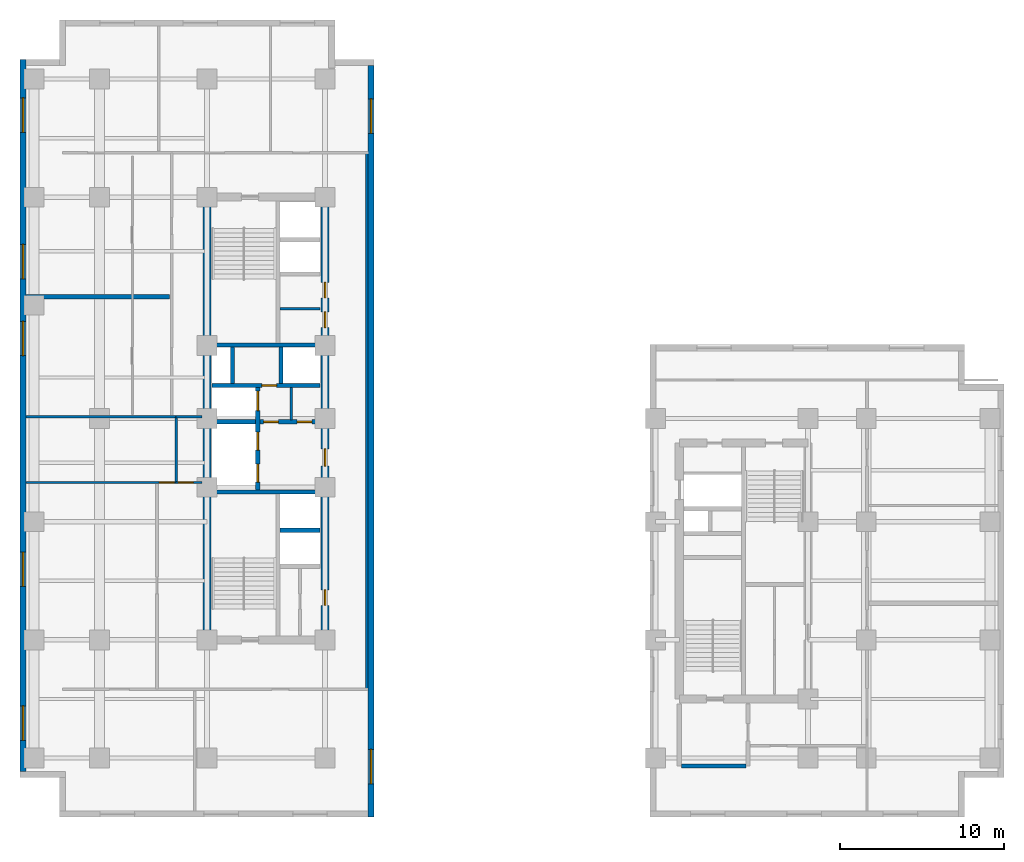
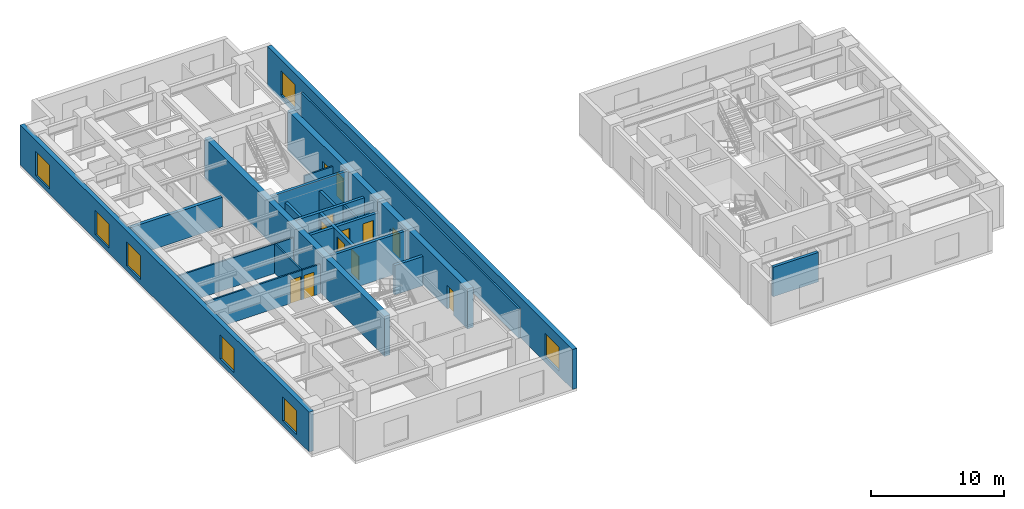
# One storey, part 3 of 9: 23 walls, 12 doors, 7 windows, 19 openings.
"""IFC4 building model written with IfcOpenShell, lengths in metres."""

from ifc_helpers import new_model, entity, si_unit, converted_unit, direction, frame, origin_with_axes, origin_2d_with_axis, place, context, subcontext, project, spatial, polyline, rectangle, outline, extrude, material, layer, layer_set, type_object, element, fill, save


model = new_model("IFC4")

# Units and contexts
model_context = context("Model", 3, precision=1e-05, world=origin_with_axes(), true_north=direction((0.0, 1.0)))
body_context = subcontext(model_context, "Body", "Model", "MODEL_VIEW")
ifc_project = project(units=[si_unit("LENGTHUNIT", "METRE"), si_unit("AREAUNIT", "SQUARE_METRE"), si_unit("VOLUMEUNIT", "CUBIC_METRE"), converted_unit("PLANEANGLEUNIT", "DEGREE", entity("IfcPlaneAngleMeasure", 0.017453292519943295), si_unit("PLANEANGLEUNIT", "RADIAN"), dimensions=[0, 0, 0, 0, 0, 0, 0]), si_unit("MASSUNIT", "GRAM", prefix="KILO"), si_unit("THERMODYNAMICTEMPERATUREUNIT", "KELVIN")], contexts=[model_context])

# Site, building, storey
site_placement = place(None, origin_with_axes())
site = spatial("IfcSite", under=ifc_project, at=site_placement, CompositionType="ELEMENT")
building_placement = place(site_placement, origin_with_axes())
building = spatial("IfcBuilding", under=site, at=building_placement, Name="Varnlund Millrace Tower", CompositionType="ELEMENT")
storey_placement = place(building_placement, frame((0.0, 0.0, 112.5), z_axis=(0.0, 0.0, 1.0), x_axis=(1.0, 0.0, 0.0)))
storey = spatial("IfcBuildingStorey", under=building, at=storey_placement, Name="L27", CompositionType="ELEMENT", Elevation=112.5)

# Wall
ifc_material_1 = material(Name="Concrete C70/85", Category="concrete")
ifc_layer_1 = layer(ifc_material_1, 0.5, Name="Concrete C70/85")
ifc_layer_set_1 = layer_set([ifc_layer_1], Name="Concrete C70/85")
wall_type_1 = type_object("IfcWallType", Name="Type-CoreWall-Shear-500-C70", PredefinedType="SHEAR", material=ifc_layer_set_1)
wall_1_placement = place(storey_placement, frame((11.4, 10.8, 0.0), z_axis=(0.0, 0.0, 1.0), x_axis=(0.0, 1.0, 0.0)))
element("IfcWall", 1, at=wall_1_placement, inside=storey, type_object=wall_type_1, Name="Type-CoreWall-Shear-500-C70", PredefinedType="SHEAR", context=body_context, shape_type="SweptSolid", body=[
    extrude(outline(polyline([(0.0, -0.25), (27.0, -0.25), (27.0, 0.25), (0.0, 0.25), (0.0, -0.25)])), origin_with_axes(), (0.0, 0.0, 1.0), 3.66),
])

# Wall, openings, doors
wall_2_placement = place(storey_placement, frame((18.6, 10.8, 0.0), z_axis=(0.0, 0.0, 1.0), x_axis=(0.0, 1.0, 0.0)))
wall_2 = element("IfcWall", 2, at=wall_2_placement, inside=storey, type_object=wall_type_1, Name="Type-CoreWall-Shear-500-C70", PredefinedType="SHEAR", context=body_context, shape_type="SweptSolid", body=[
    extrude(outline(polyline([(0.0, -0.25), (13.5, -0.25), (13.5, 0.25), (0.0, 0.25), (0.0, -0.25)])), origin_with_axes(), (0.0, 0.0, 1.0), 3.66),
])
opening_1_placement = place(wall_2_placement, frame((11.125, 0.0, 0.0), z_axis=(0.0, 0.0, 1.0), x_axis=(1.0, 0.0, 0.0)))
opening_1 = element("IfcOpeningElement", 3, at=opening_1_placement, cuts=wall_2, Name="Opening L27:DR-FFLOB-A", PredefinedType="OPENING", context=body_context, shape_type="SweptSolid", body=[
    extrude(rectangle(XDim=1.05, YDim=0.52, at=origin_2d_with_axis()), origin_with_axes(), (0.0, 0.0, 1.0), 2.15),
])
opening_2_placement = place(wall_2_placement, frame((2.575, 0.0, 0.0), z_axis=(0.0, 0.0, 1.0), x_axis=(1.0, 0.0, 0.0)))
opening_2 = element("IfcOpeningElement", 4, at=opening_2_placement, cuts=wall_2, Name="Opening L27:DR-RECL-L2", PredefinedType="OPENING", context=body_context, shape_type="SweptSolid", body=[
    extrude(rectangle(XDim=0.95, YDim=0.52, at=origin_2d_with_axis()), origin_with_axes(), (0.0, 0.0, 1.0), 2.15),
])
ifc_material_2 = material(Name="Smoke-barrier hollow steel fire door", Category="steel")
door_type_1 = type_object("IfcDoorType", Name="Type-FireDoor-Lobby-1050X2150", OperationType="NOTDEFINED", PredefinedType="DOOR", material=ifc_material_2)
door_1_placement = place(wall_2_placement, frame((11.125, 0.0, 0.0), z_axis=(0.0, 0.0, 1.0), x_axis=(1.0, 0.0, 0.0)))
door_1 = element("IfcDoor", 5, at=door_1_placement, inside=storey, type_object=door_type_1, Name="Type-FireDoor-Lobby-1050X2150", OperationType="SINGLE_SWING_LEFT", OverallHeight=2.15, OverallWidth=1.05, PredefinedType="DOOR", context=body_context, shape_type="SweptSolid", body=[
    extrude(rectangle(XDim=1.05, YDim=0.09, at=origin_2d_with_axis()), origin_with_axes(), (0.0, 0.0, 1.0), 2.15),
])
fill(opening_1, door_1)
ifc_material_3 = material(Name="Fire-rated hollow steel core service door", Category="steel")
door_type_2 = type_object("IfcDoorType", Name="Type-FireDoor-Service-950X2150", OperationType="NOTDEFINED", PredefinedType="DOOR", material=ifc_material_3)
door_2_placement = place(wall_2_placement, frame((2.575, 0.0, 0.0), z_axis=(0.0, 0.0, 1.0), x_axis=(1.0, 0.0, 0.0)))
door_2 = element("IfcDoor", 6, at=door_2_placement, inside=storey, type_object=door_type_2, Name="Type-FireDoor-Service-950X2150", OperationType="SINGLE_SWING_RIGHT", OverallHeight=2.15, OverallWidth=0.95, PredefinedType="DOOR", context=body_context, shape_type="SweptSolid", body=[
    extrude(rectangle(XDim=0.95, YDim=0.09, at=origin_2d_with_axis()), origin_with_axes(), (0.0, 0.0, 1.0), 2.15),
])
fill(opening_2, door_2)

wall_3_placement = place(storey_placement, frame((18.6, 24.3, 0.0), z_axis=(0.0, 0.0, 1.0), x_axis=(0.0, 1.0, 0.0)))
wall_3 = element("IfcWall", 7, at=wall_3_placement, inside=storey, type_object=wall_type_1, Name="Type-CoreWall-Shear-500-C70", PredefinedType="SHEAR", context=body_context, shape_type="SweptSolid", body=[
    extrude(outline(polyline([(0.0, -0.25), (13.5, -0.25), (13.5, 0.25), (0.0, 0.25), (0.0, -0.25)])), origin_with_axes(), (0.0, 0.0, 1.0), 3.66),
])
opening_3_placement = place(wall_3_placement, frame((6.025, 0.0, 0.0), z_axis=(0.0, 0.0, 1.0), x_axis=(1.0, 0.0, 0.0)))
opening_3 = element("IfcOpeningElement", 8, at=opening_3_placement, cuts=wall_3, Name="Opening L27:DR-CA-WC1", PredefinedType="OPENING", context=body_context, shape_type="SweptSolid", body=[
    extrude(rectangle(XDim=0.95, YDim=0.52, at=origin_2d_with_axis()), origin_with_axes(), (0.0, 0.0, 1.0), 2.15),
])
opening_4_placement = place(wall_3_placement, frame((7.825, 0.0, 0.0), z_axis=(0.0, 0.0, 1.0), x_axis=(1.0, 0.0, 0.0)))
opening_4 = element("IfcOpeningElement", 9, at=opening_4_placement, cuts=wall_3, Name="Opening L27:DR-CA-WC2", PredefinedType="OPENING", context=body_context, shape_type="SweptSolid", body=[
    extrude(rectangle(XDim=0.95, YDim=0.52, at=origin_2d_with_axis()), origin_with_axes(), (0.0, 0.0, 1.0), 2.15),
])
door_3_placement = place(wall_3_placement, frame((6.025, 0.0, 0.0), z_axis=(0.0, 0.0, 1.0), x_axis=(1.0, 0.0, 0.0)))
door_3 = element("IfcDoor", 10, at=door_3_placement, inside=storey, type_object=door_type_2, Name="Type-FireDoor-Service-950X2150", OperationType="SINGLE_SWING_RIGHT", OverallHeight=2.15, OverallWidth=0.95, PredefinedType="DOOR", context=body_context, shape_type="SweptSolid", body=[
    extrude(rectangle(XDim=0.95, YDim=0.09, at=origin_2d_with_axis()), origin_with_axes(), (0.0, 0.0, 1.0), 2.15),
])
fill(opening_3, door_3)
door_4_placement = place(wall_3_placement, frame((7.825, 0.0, 0.0), z_axis=(0.0, 0.0, 1.0), x_axis=(1.0, 0.0, 0.0)))
door_4 = element("IfcDoor", 11, at=door_4_placement, inside=storey, type_object=door_type_2, Name="Type-FireDoor-Service-950X2150", OperationType="SINGLE_SWING_RIGHT", OverallHeight=2.15, OverallWidth=0.95, PredefinedType="DOOR", context=body_context, shape_type="SweptSolid", body=[
    extrude(rectangle(XDim=0.95, YDim=0.09, at=origin_2d_with_axis()), origin_with_axes(), (0.0, 0.0, 1.0), 2.15),
])
fill(opening_4, door_4)

# Wall, openings, windows
ifc_material_4 = material(Name="Precast concrete C50/60", Category="concrete")
ifc_layer_2 = layer(ifc_material_4, 0.38, Name="Precast concrete C50/60")
ifc_layer_set_2 = layer_set([ifc_layer_2], Name="Precast concrete C50/60")
wall_type_2 = type_object("IfcWallType", Name="Type-ExtWall-Precast-Tube-380", PredefinedType="SOLIDWALL", material=ifc_layer_set_2)
wall_4_placement = place(storey_placement, frame((0.19, 2.78, 0.0), z_axis=(0.0, 0.0, 1.0), x_axis=(0.0, 1.0, 0.0)))
wall_4 = element("IfcWall", 12, at=wall_4_placement, inside=storey, type_object=wall_type_2, Name="Type-ExtWall-Precast-Tube-380", PredefinedType="SOLIDWALL", context=body_context, shape_type="SweptSolid", body=[
    extrude(outline(polyline([(0.0, -0.19), (43.42, -0.19), (43.42, 0.19), (0.0, 0.19), (0.0, -0.19)])), origin_with_axes(), (0.0, 0.0, 1.0), 3.66),
])
opening_5_placement = place(wall_4_placement, frame((2.946, 0.0, 0.45), z_axis=(0.0, 0.0, 1.0), x_axis=(1.0, 0.0, 0.0)))
opening_5 = element("IfcOpeningElement", 13, at=opening_5_placement, cuts=wall_4, Name="Opening L27:WN-01", PredefinedType="OPENING", context=body_context, shape_type="SweptSolid", body=[
    extrude(rectangle(XDim=2.1, YDim=0.4, at=origin_2d_with_axis()), origin_with_axes(), (0.0, 0.0, 1.0), 2.2),
])
opening_6_placement = place(wall_4_placement, frame((12.328, 0.0, 0.45), z_axis=(0.0, 0.0, 1.0), x_axis=(1.0, 0.0, 0.0)))
opening_6 = element("IfcOpeningElement", 14, at=opening_6_placement, cuts=wall_4, Name="Opening L27:WN-02", PredefinedType="OPENING", context=body_context, shape_type="SweptSolid", body=[
    extrude(rectangle(XDim=2.1, YDim=0.4, at=origin_2d_with_axis()), origin_with_axes(), (0.0, 0.0, 1.0), 2.2),
])
opening_7_placement = place(wall_4_placement, frame((26.401, 0.0, 0.45), z_axis=(0.0, 0.0, 1.0), x_axis=(1.0, 0.0, 0.0)))
opening_7 = element("IfcOpeningElement", 15, at=opening_7_placement, cuts=wall_4, Name="Opening L27:WN-03", PredefinedType="OPENING", context=body_context, shape_type="SweptSolid", body=[
    extrude(rectangle(XDim=2.1, YDim=0.4, at=origin_2d_with_axis()), origin_with_axes(), (0.0, 0.0, 1.0), 2.2),
])
opening_8_placement = place(wall_4_placement, frame((31.092, 0.0, 0.45), z_axis=(0.0, 0.0, 1.0), x_axis=(1.0, 0.0, 0.0)))
opening_8 = element("IfcOpeningElement", 16, at=opening_8_placement, cuts=wall_4, Name="Opening L27:WN-04", PredefinedType="OPENING", context=body_context, shape_type="SweptSolid", body=[
    extrude(rectangle(XDim=2.1, YDim=0.4, at=origin_2d_with_axis()), origin_with_axes(), (0.0, 0.0, 1.0), 2.2),
])
opening_9_placement = place(wall_4_placement, frame((40.024, 0.0, 0.45), z_axis=(0.0, 0.0, 1.0), x_axis=(1.0, 0.0, 0.0)))
opening_9 = element("IfcOpeningElement", 17, at=opening_9_placement, cuts=wall_4, Name="Opening L27:WN-05", PredefinedType="OPENING", context=body_context, shape_type="SweptSolid", body=[
    extrude(rectangle(XDim=2.1, YDim=0.4, at=origin_2d_with_axis()), origin_with_axes(), (0.0, 0.0, 1.0), 2.2),
])
ifc_material_5 = material(Name="Argon low-e triple glazing in thermally broken bronze frame", Category="glass")
window_type = type_object("IfcWindowType", Name="Type-Window-Punched-2100X2200", PartitioningType="SINGLE_PANEL", PredefinedType="WINDOW", material=ifc_material_5)
window_1_placement = place(wall_4_placement, frame((2.946, 0.0, 0.45), z_axis=(0.0, 0.0, 1.0), x_axis=(1.0, 0.0, 0.0)))
window_1 = element("IfcWindow", 18, at=window_1_placement, inside=storey, type_object=window_type, Name="Type-Window-Punched-2100X2200", OverallHeight=2.2, OverallWidth=2.1, PredefinedType="WINDOW", context=body_context, shape_type="SweptSolid", body=[
    extrude(rectangle(XDim=2.1, YDim=0.09, at=origin_2d_with_axis()), origin_with_axes(), (0.0, 0.0, 1.0), 2.2),
])
fill(opening_5, window_1)
window_2_placement = place(wall_4_placement, frame((12.328, 0.0, 0.45), z_axis=(0.0, 0.0, 1.0), x_axis=(1.0, 0.0, 0.0)))
window_2 = element("IfcWindow", 19, at=window_2_placement, inside=storey, type_object=window_type, Name="Type-Window-Punched-2100X2200", OverallHeight=2.2, OverallWidth=2.1, PredefinedType="WINDOW", context=body_context, shape_type="SweptSolid", body=[
    extrude(rectangle(XDim=2.1, YDim=0.09, at=origin_2d_with_axis()), origin_with_axes(), (0.0, 0.0, 1.0), 2.2),
])
fill(opening_6, window_2)
window_3_placement = place(wall_4_placement, frame((26.401, 0.0, 0.45), z_axis=(0.0, 0.0, 1.0), x_axis=(1.0, 0.0, 0.0)))
window_3 = element("IfcWindow", 20, at=window_3_placement, inside=storey, type_object=window_type, Name="Type-Window-Punched-2100X2200", OverallHeight=2.2, OverallWidth=2.1, PredefinedType="WINDOW", context=body_context, shape_type="SweptSolid", body=[
    extrude(rectangle(XDim=2.1, YDim=0.09, at=origin_2d_with_axis()), origin_with_axes(), (0.0, 0.0, 1.0), 2.2),
])
fill(opening_7, window_3)
window_4_placement = place(wall_4_placement, frame((31.092, 0.0, 0.45), z_axis=(0.0, 0.0, 1.0), x_axis=(1.0, 0.0, 0.0)))
window_4 = element("IfcWindow", 21, at=window_4_placement, inside=storey, type_object=window_type, Name="Type-Window-Punched-2100X2200", OverallHeight=2.2, OverallWidth=2.1, PredefinedType="WINDOW", context=body_context, shape_type="SweptSolid", body=[
    extrude(rectangle(XDim=2.1, YDim=0.09, at=origin_2d_with_axis()), origin_with_axes(), (0.0, 0.0, 1.0), 2.2),
])
fill(opening_8, window_4)
window_5_placement = place(wall_4_placement, frame((40.024, 0.0, 0.45), z_axis=(0.0, 0.0, 1.0), x_axis=(1.0, 0.0, 0.0)))
window_5 = element("IfcWindow", 22, at=window_5_placement, inside=storey, type_object=window_type, Name="Type-Window-Punched-2100X2200", OverallHeight=2.2, OverallWidth=2.1, PredefinedType="WINDOW", context=body_context, shape_type="SweptSolid", body=[
    extrude(rectangle(XDim=2.1, YDim=0.09, at=origin_2d_with_axis()), origin_with_axes(), (0.0, 0.0, 1.0), 2.2),
])
fill(opening_9, window_5)

wall_5_placement = place(storey_placement, frame((21.41, 45.82, 0.0), z_axis=(0.0, 0.0, 1.0), x_axis=(0.0, -1.0, 0.0)))
wall_5 = element("IfcWall", 23, at=wall_5_placement, inside=storey, type_object=wall_type_2, Name="Type-ExtWall-Precast-Tube-380", PredefinedType="SOLIDWALL", context=body_context, shape_type="SweptSolid", body=[
    extrude(outline(polyline([(0.0, -0.19), (45.82, -0.19), (45.82, 0.19), (0.0, 0.19), (0.0, -0.19)])), origin_with_axes(), (0.0, 0.0, 1.0), 3.66),
])
opening_10_placement = place(wall_5_placement, frame((3.079, 0.0, 0.45), z_axis=(0.0, 0.0, 1.0), x_axis=(1.0, 0.0, 0.0)))
opening_10 = element("IfcOpeningElement", 24, at=opening_10_placement, cuts=wall_5, Name="Opening L27:WN-09", PredefinedType="OPENING", context=body_context, shape_type="SweptSolid", body=[
    extrude(rectangle(XDim=2.1, YDim=0.4, at=origin_2d_with_axis()), origin_with_axes(), (0.0, 0.0, 1.0), 2.2),
])
opening_11_placement = place(wall_5_placement, frame((42.741, 0.0, 0.45), z_axis=(0.0, 0.0, 1.0), x_axis=(1.0, 0.0, 0.0)))
opening_11 = element("IfcOpeningElement", 25, at=opening_11_placement, cuts=wall_5, Name="Opening L27:WN-10", PredefinedType="OPENING", context=body_context, shape_type="SweptSolid", body=[
    extrude(rectangle(XDim=2.1, YDim=0.4, at=origin_2d_with_axis()), origin_with_axes(), (0.0, 0.0, 1.0), 2.2),
])
window_6_placement = place(wall_5_placement, frame((3.079, 0.0, 0.45), z_axis=(0.0, 0.0, 1.0), x_axis=(1.0, 0.0, 0.0)))
window_6 = element("IfcWindow", 26, at=window_6_placement, inside=storey, type_object=window_type, Name="Type-Window-Punched-2100X2200", OverallHeight=2.2, OverallWidth=2.1, PredefinedType="WINDOW", context=body_context, shape_type="SweptSolid", body=[
    extrude(rectangle(XDim=2.1, YDim=0.09, at=origin_2d_with_axis()), origin_with_axes(), (0.0, 0.0, 1.0), 2.2),
])
fill(opening_10, window_6)
window_7_placement = place(wall_5_placement, frame((42.741, 0.0, 0.45), z_axis=(0.0, 0.0, 1.0), x_axis=(1.0, 0.0, 0.0)))
window_7 = element("IfcWindow", 27, at=window_7_placement, inside=storey, type_object=window_type, Name="Type-Window-Punched-2100X2200", OverallHeight=2.2, OverallWidth=2.1, PredefinedType="WINDOW", context=body_context, shape_type="SweptSolid", body=[
    extrude(rectangle(XDim=2.1, YDim=0.09, at=origin_2d_with_axis()), origin_with_axes(), (0.0, 0.0, 1.0), 2.2),
])
fill(opening_11, window_7)

# Walls
ifc_material_6 = material(Name="Double-stud STC-60 conference acoustic partition", Category="gypsum")
ifc_layer_3 = layer(ifc_material_6, 0.28, Name="Double-stud STC-60 conference acoustic partition")
ifc_layer_set_3 = layer_set([ifc_layer_3], Name="Double-stud STC-60 conference acoustic partition")
wall_type_3 = type_object("IfcWallType", Name="Type-Partition-Acoustic-280", PredefinedType="PARTITIONING", material=ifc_layer_set_3)
wall_6_placement = place(storey_placement, frame((0.375, 31.729, 0.0), z_axis=(0.0, 0.0, 1.0), x_axis=(1.0, 0.0, 0.0)))
element("IfcWall", 28, at=wall_6_placement, inside=storey, type_object=wall_type_3, Name="Type-Partition-Acoustic-280", PredefinedType="PARTITIONING", context=body_context, shape_type="SweptSolid", body=[
    extrude(outline(polyline([(0.0, -0.14), (8.755, -0.14), (8.755, 0.14), (0.0, 0.14), (0.0, -0.14)])), origin_with_axes(), (0.0, 0.0, 1.0), 2.7),
])
ifc_material_7 = material(Name="Fire-rated gypsum board on cold-formed steel framing", Category="steel")
ifc_layer_4 = layer(ifc_material_7, 0.16, Name="Fire-rated gypsum board on cold-formed steel framing")
ifc_layer_set_4 = layer_set([ifc_layer_4], Name="Fire-rated gypsum board on cold-formed steel framing")
wall_type_4 = type_object("IfcWallType", Name="Type-Partition-Corridor-160", PredefinedType="PARTITIONING", material=ifc_layer_set_4)
wall_7_placement = place(storey_placement, frame((16.55, 24.22, 0.0), z_axis=(0.0, 0.0, 1.0), x_axis=(0.0, 1.0, 0.0)))
element("IfcWall", 29, at=wall_7_placement, inside=storey, type_object=wall_type_4, Name="Type-Partition-Corridor-160", PredefinedType="PARTITIONING", context=body_context, shape_type="SweptSolid", body=[
    extrude(outline(polyline([(0.0, -0.08), (1.98, -0.08), (1.98, 0.08), (0.0, 0.08), (0.0, -0.08)])), origin_with_axes(), (0.0, 0.0, 1.0), 2.7),
])
wall_8_placement = place(storey_placement, frame((21.15, 7.8, 0.0), z_axis=(0.0, 0.0, 1.0), x_axis=(0.0, 1.0, 0.0)))
element("IfcWall", 30, at=wall_8_placement, inside=storey, type_object=wall_type_4, Name="Type-Partition-Corridor-160", PredefinedType="PARTITIONING", context=body_context, shape_type="SweptSolid", body=[
    extrude(outline(polyline([(0.0, -0.08), (32.7, -0.08), (32.7, 0.08), (0.0, 0.08), (0.0, -0.08)])), origin_with_axes(), (0.0, 0.0, 1.0), 2.7),
])
ifc_material_8 = material(Name="Moisture-resistant gypsum restroom partition", Category="gypsum")
ifc_layer_5 = layer(ifc_material_8, 0.14, Name="Moisture-resistant gypsum restroom partition")
ifc_layer_set_5 = layer_set([ifc_layer_5], Name="Moisture-resistant gypsum restroom partition")
wall_type_5 = type_object("IfcWallType", Name="Type-Partition-Wet-140", PredefinedType="PARTITIONING", material=ifc_layer_set_5)
wall_9_placement = place(storey_placement, frame((15.84, 31.0, 0.0), z_axis=(0.0, 0.0, 1.0), x_axis=(1.0, 0.0, 0.0)))
element("IfcWall", 31, at=wall_9_placement, inside=storey, type_object=wall_type_5, Name="Type-Partition-Wet-140", PredefinedType="PARTITIONING", context=body_context, shape_type="SweptSolid", body=[
    extrude(outline(polyline([(0.0, -0.07), (2.46, -0.07), (2.46, 0.07), (0.0, 0.07), (0.0, -0.07)])), origin_with_axes(), (0.0, 0.0, 1.0), 2.7),
])
wall_10_placement = place(storey_placement, frame((9.52, 20.4, 0.0), z_axis=(0.0, 0.0, 1.0), x_axis=(0.0, 1.0, 0.0)))
element("IfcWall", 32, at=wall_10_placement, inside=storey, type_object=wall_type_5, Name="Type-Partition-Wet-140", PredefinedType="PARTITIONING", context=body_context, shape_type="SweptSolid", body=[
    extrude(outline(polyline([(0.0, -0.07), (4.0, -0.07), (4.0, 0.07), (0.0, 0.07), (0.0, -0.07)])), origin_with_axes(), (0.0, 0.0, 1.0), 2.7),
])

# Wall, opening, door
wall_11_placement = place(storey_placement, frame((9.52, 20.4, 0.0), z_axis=(0.0, 0.0, 1.0), x_axis=(1.0, 0.0, 0.0)))
wall_11 = element("IfcWall", 33, at=wall_11_placement, inside=storey, type_object=wall_type_5, Name="Type-Partition-Wet-140", PredefinedType="PARTITIONING", context=body_context, shape_type="SweptSolid", body=[
    extrude(outline(polyline([(0.0, -0.07), (1.58, -0.07), (1.58, 0.07), (0.0, 0.07), (0.0, -0.07)])), origin_with_axes(), (0.0, 0.0, 1.0), 2.7),
])
opening_12_placement = place(wall_11_placement, frame((0.59, 0.0, 0.0), z_axis=(0.0, 0.0, 1.0), x_axis=(1.0, 0.0, 0.0)))
opening_12 = element("IfcOpeningElement", 34, at=opening_12_placement, cuts=wall_11, Name="Opening L27:DR-CA-WCW", PredefinedType="OPENING", context=body_context, shape_type="SweptSolid", body=[
    extrude(rectangle(XDim=0.9, YDim=0.16, at=origin_2d_with_axis()), origin_with_axes(), (0.0, 0.0, 1.0), 2.15),
])
ifc_material_9 = material(Name="Painted steel riser and closet door", Category="steel")
door_type_3 = type_object("IfcDoorType", Name="Type-IntDoor-Closet-900X2150", OperationType="NOTDEFINED", PredefinedType="DOOR", material=ifc_material_9)
door_5_placement = place(wall_11_placement, frame((0.59, 0.0, 0.0), z_axis=(0.0, 0.0, 1.0), x_axis=(1.0, 0.0, 0.0)))
door_5 = element("IfcDoor", 35, at=door_5_placement, inside=storey, type_object=door_type_3, Name="Type-IntDoor-Closet-900X2150", OperationType="SINGLE_SWING_LEFT", OverallHeight=2.15, OverallWidth=0.9, PredefinedType="DOOR", context=body_context, shape_type="SweptSolid", body=[
    extrude(rectangle(XDim=0.9, YDim=0.084, at=origin_2d_with_axis()), origin_with_axes(), (0.0, 0.0, 1.0), 2.15),
])
fill(opening_12, door_5)

# Wall
wall_12_placement = place(storey_placement, frame((9.52, 24.4, 0.0), z_axis=(0.0, 0.0, 1.0), x_axis=(1.0, 0.0, 0.0)))
element("IfcWall", 36, at=wall_12_placement, inside=storey, type_object=wall_type_5, Name="Type-Partition-Wet-140", PredefinedType="PARTITIONING", context=body_context, shape_type="SweptSolid", body=[
    extrude(outline(polyline([(0.0, -0.07), (1.58, -0.07), (1.58, 0.07), (0.0, 0.07), (0.0, -0.07)])), origin_with_axes(), (0.0, 0.0, 1.0), 2.7),
])

# Wall, opening, door
wall_13_placement = place(storey_placement, frame((0.36, 20.4, 0.0), z_axis=(0.0, 0.0, 1.0), x_axis=(1.0, 0.0, 0.0)))
wall_13 = element("IfcWall", 37, at=wall_13_placement, inside=storey, type_object=wall_type_5, Name="Type-Partition-Wet-140", PredefinedType="PARTITIONING", context=body_context, shape_type="SweptSolid", body=[
    extrude(outline(polyline([(0.0, -0.07), (9.16, -0.07), (9.16, 0.07), (0.0, 0.07), (0.0, -0.07)])), origin_with_axes(), (0.0, 0.0, 1.0), 2.7),
])
opening_13_placement = place(wall_13_placement, frame((8.59, 0.0, 0.0), z_axis=(0.0, 0.0, 1.0), x_axis=(1.0, 0.0, 0.0)))
opening_13 = element("IfcOpeningElement", 38, at=opening_13_placement, cuts=wall_13, Name="Opening L27:DR-W-MIDR", PredefinedType="OPENING", context=body_context, shape_type="SweptSolid", body=[
    extrude(rectangle(XDim=0.9, YDim=0.16, at=origin_2d_with_axis()), origin_with_axes(), (0.0, 0.0, 1.0), 2.15),
])
door_6_placement = place(wall_13_placement, frame((8.59, 0.0, 0.0), z_axis=(0.0, 0.0, 1.0), x_axis=(1.0, 0.0, 0.0)))
door_6 = element("IfcDoor", 39, at=door_6_placement, inside=storey, type_object=door_type_3, Name="Type-IntDoor-Closet-900X2150", OperationType="SINGLE_SWING_LEFT", OverallHeight=2.15, OverallWidth=0.9, PredefinedType="DOOR", context=body_context, shape_type="SweptSolid", body=[
    extrude(rectangle(XDim=0.9, YDim=0.084, at=origin_2d_with_axis()), origin_with_axes(), (0.0, 0.0, 1.0), 2.15),
])
fill(opening_13, door_6)

# Wall
wall_14_placement = place(storey_placement, frame((0.36, 24.4, 0.0), z_axis=(0.0, 0.0, 1.0), x_axis=(1.0, 0.0, 0.0)))
element("IfcWall", 40, at=wall_14_placement, inside=storey, type_object=wall_type_5, Name="Type-Partition-Wet-140", PredefinedType="PARTITIONING", context=body_context, shape_type="SweptSolid", body=[
    extrude(outline(polyline([(0.0, -0.07), (9.16, -0.07), (9.16, 0.07), (0.0, 0.07), (0.0, -0.07)])), origin_with_axes(), (0.0, 0.0, 1.0), 2.7),
])

# Wall, openings, doors
ifc_material_10 = material(Name="Concrete C60/75", Category="concrete")
ifc_layer_6 = layer(ifc_material_10, 0.25, Name="Concrete C60/75")
ifc_layer_set_6 = layer_set([ifc_layer_6], Name="Concrete C60/75")
wall_type_6 = type_object("IfcWallType", Name="Type-ShaftWall-Fire-250", PredefinedType="SOLIDWALL", material=ifc_layer_set_6)
wall_15_placement = place(storey_placement, frame((14.5, 19.95, 0.0), z_axis=(0.0, 0.0, 1.0), x_axis=(0.0, 1.0, 0.0)))
wall_15 = element("IfcWall", 41, at=wall_15_placement, inside=storey, type_object=wall_type_6, Name="Type-ShaftWall-Fire-250", PredefinedType="SOLIDWALL", context=body_context, shape_type="SweptSolid", body=[
    extrude(outline(polyline([(0.0, -0.125), (6.25, -0.125), (6.25, 0.125), (0.0, 0.125), (0.0, -0.125)])), origin_with_axes(), (0.0, 0.0, 1.0), 2.7),
])
opening_14_placement = place(wall_15_placement, frame((1.025, 0.0, 0.0), z_axis=(0.0, 0.0, 1.0), x_axis=(1.0, 0.0, 0.0)))
opening_14 = element("IfcOpeningElement", 42, at=opening_14_placement, cuts=wall_15, Name="Opening L27:LD-FSAE1", PredefinedType="OPENING", context=body_context, shape_type="SweptSolid", body=[
    extrude(rectangle(XDim=1.1, YDim=0.27, at=origin_2d_with_axis()), origin_with_axes(), (0.0, 0.0, 1.0), 2.15),
])
opening_15_placement = place(wall_15_placement, frame((2.975, 0.0, 0.0), z_axis=(0.0, 0.0, 1.0), x_axis=(1.0, 0.0, 0.0)))
opening_15 = element("IfcOpeningElement", 43, at=opening_15_placement, cuts=wall_15, Name="Opening L27:LD-FSAE2", PredefinedType="OPENING", context=body_context, shape_type="SweptSolid", body=[
    extrude(rectangle(XDim=1.1, YDim=0.27, at=origin_2d_with_axis()), origin_with_axes(), (0.0, 0.0, 1.0), 2.15),
])
opening_16_placement = place(wall_15_placement, frame((5.425, 0.0, 0.0), z_axis=(0.0, 0.0, 1.0), x_axis=(1.0, 0.0, 0.0)))
opening_16 = element("IfcOpeningElement", 44, at=opening_16_placement, cuts=wall_15, Name="Opening L27:LD-SRV1", PredefinedType="OPENING", context=body_context, shape_type="SweptSolid", body=[
    extrude(rectangle(XDim=1.2, YDim=0.27, at=origin_2d_with_axis()), origin_with_axes(), (0.0, 0.0, 1.0), 2.15),
])
ifc_material_11 = material(Name="Stainless and architectural bronze sliding landing door")
door_type_4 = type_object("IfcDoorType", Name="Type-LiftLandingDoor-1100X2150", OperationType="NOTDEFINED", PredefinedType="DOOR", material=ifc_material_11)
door_7_placement = place(wall_15_placement, frame((1.025, 0.0, 0.0), z_axis=(0.0, 0.0, 1.0), x_axis=(1.0, 0.0, 0.0)))
door_7 = element("IfcDoor", 45, at=door_7_placement, inside=storey, type_object=door_type_4, Name="Type-LiftLandingDoor-1100X2150", OperationType="SLIDING_TO_LEFT", OverallHeight=2.15, OverallWidth=1.1, PredefinedType="DOOR", context=body_context, shape_type="SweptSolid", body=[
    extrude(rectangle(XDim=1.1, YDim=0.09, at=origin_2d_with_axis()), origin_with_axes(), (0.0, 0.0, 1.0), 2.15),
])
fill(opening_14, door_7)
door_8_placement = place(wall_15_placement, frame((2.975, 0.0, 0.0), z_axis=(0.0, 0.0, 1.0), x_axis=(1.0, 0.0, 0.0)))
door_8 = element("IfcDoor", 46, at=door_8_placement, inside=storey, type_object=door_type_4, Name="Type-LiftLandingDoor-1100X2150", OperationType="SLIDING_TO_RIGHT", OverallHeight=2.15, OverallWidth=1.1, PredefinedType="DOOR", context=body_context, shape_type="SweptSolid", body=[
    extrude(rectangle(XDim=1.1, YDim=0.09, at=origin_2d_with_axis()), origin_with_axes(), (0.0, 0.0, 1.0), 2.15),
])
fill(opening_15, door_8)
ifc_material_12 = material(Name="Heavy-duty freight sliding landing door")
door_type_5 = type_object("IfcDoorType", Name="Type-LiftLandingDoor-Service-1200X2150", OperationType="NOTDEFINED", PredefinedType="DOOR", material=ifc_material_12)
door_9_placement = place(wall_15_placement, frame((5.425, 0.0, 0.0), z_axis=(0.0, 0.0, 1.0), x_axis=(1.0, 0.0, 0.0)))
door_9 = element("IfcDoor", 47, at=door_9_placement, inside=storey, type_object=door_type_5, Name="Type-LiftLandingDoor-Service-1200X2150", OperationType="DOUBLE_DOOR_SLIDING", OverallHeight=2.15, OverallWidth=1.2, PredefinedType="DOOR", context=body_context, shape_type="SweptSolid", body=[
    extrude(rectangle(XDim=1.2, YDim=0.09, at=origin_2d_with_axis()), origin_with_axes(), (0.0, 0.0, 1.0), 2.15),
])
fill(opening_16, door_9)

wall_16_placement = place(storey_placement, frame((11.7, 24.1, 0.0), z_axis=(0.0, 0.0, 1.0), x_axis=(1.0, 0.0, 0.0)))
wall_16 = element("IfcWall", 48, at=wall_16_placement, inside=storey, type_object=wall_type_6, Name="Type-ShaftWall-Fire-250", PredefinedType="SOLIDWALL", context=body_context, shape_type="SweptSolid", body=[
    extrude(outline(polyline([(0.0, -0.125), (6.6, -0.125), (6.6, 0.125), (0.0, 0.125), (0.0, -0.125)])), origin_with_axes(), (0.0, 0.0, 1.0), 2.7),
])
opening_17_placement = place(wall_16_placement, frame((3.6, 0.0, 0.0), z_axis=(0.0, 0.0, 1.0), x_axis=(1.0, 0.0, 0.0)))
opening_17 = element("IfcOpeningElement", 49, at=opening_17_placement, cuts=wall_16, Name="Opening L27:DR-CA-SUB1", PredefinedType="OPENING", context=body_context, shape_type="SweptSolid", body=[
    extrude(rectangle(XDim=0.9, YDim=0.27, at=origin_2d_with_axis()), origin_with_axes(), (0.0, 0.0, 1.0), 2.15),
])
opening_18_placement = place(wall_16_placement, frame((5.65, 0.0, 0.0), z_axis=(0.0, 0.0, 1.0), x_axis=(1.0, 0.0, 0.0)))
opening_18 = element("IfcOpeningElement", 50, at=opening_18_placement, cuts=wall_16, Name="Opening L27:DR-CA-SUB2", PredefinedType="OPENING", context=body_context, shape_type="SweptSolid", body=[
    extrude(rectangle(XDim=0.9, YDim=0.27, at=origin_2d_with_axis()), origin_with_axes(), (0.0, 0.0, 1.0), 2.15),
])
ifc_material_13 = material(Name="Fire-rated hollow steel service closet door", Category="steel")
door_type_6 = type_object("IfcDoorType", Name="Type-FireDoor-Closet-900X2150", OperationType="NOTDEFINED", PredefinedType="DOOR", material=ifc_material_13)
door_10_placement = place(wall_16_placement, frame((3.6, 0.0, 0.0), z_axis=(0.0, 0.0, 1.0), x_axis=(1.0, 0.0, 0.0)))
door_10 = element("IfcDoor", 51, at=door_10_placement, inside=storey, type_object=door_type_6, Name="Type-FireDoor-Closet-900X2150", OperationType="SINGLE_SWING_LEFT", OverallHeight=2.15, OverallWidth=0.9, PredefinedType="DOOR", context=body_context, shape_type="SweptSolid", body=[
    extrude(rectangle(XDim=0.9, YDim=0.09, at=origin_2d_with_axis()), origin_with_axes(), (0.0, 0.0, 1.0), 2.15),
])
fill(opening_17, door_10)
door_11_placement = place(wall_16_placement, frame((5.65, 0.0, 0.0), z_axis=(0.0, 0.0, 1.0), x_axis=(1.0, 0.0, 0.0)))
door_11 = element("IfcDoor", 52, at=door_11_placement, inside=storey, type_object=door_type_6, Name="Type-FireDoor-Closet-900X2150", OperationType="SINGLE_SWING_LEFT", OverallHeight=2.15, OverallWidth=0.9, PredefinedType="DOOR", context=body_context, shape_type="SweptSolid", body=[
    extrude(rectangle(XDim=0.9, YDim=0.09, at=origin_2d_with_axis()), origin_with_axes(), (0.0, 0.0, 1.0), 2.15),
])
fill(opening_18, door_11)

# Wall, opening, door
wall_17_placement = place(storey_placement, frame((11.7, 26.325, 0.0), z_axis=(0.0, 0.0, 1.0), x_axis=(1.0, 0.0, 0.0)))
wall_17 = element("IfcWall", 53, at=wall_17_placement, inside=storey, type_object=wall_type_6, Name="Type-ShaftWall-Fire-250", PredefinedType="SOLIDWALL", context=body_context, shape_type="SweptSolid", body=[
    extrude(outline(polyline([(0.0, -0.125), (6.6, -0.125), (6.6, 0.125), (0.0, 0.125), (0.0, -0.125)])), origin_with_axes(), (0.0, 0.0, 1.0), 2.7),
])
opening_19_placement = place(wall_17_placement, frame((3.5, 0.0, 0.0), z_axis=(0.0, 0.0, 1.0), x_axis=(1.0, 0.0, 0.0)))
opening_19 = element("IfcOpeningElement", 54, at=opening_19_placement, cuts=wall_17, Name="Opening L27:DR-CA-ELC", PredefinedType="OPENING", context=body_context, shape_type="SweptSolid", body=[
    extrude(rectangle(XDim=0.9, YDim=0.27, at=origin_2d_with_axis()), origin_with_axes(), (0.0, 0.0, 1.0), 2.15),
])
door_12_placement = place(wall_17_placement, frame((3.5, 0.0, 0.0), z_axis=(0.0, 0.0, 1.0), x_axis=(1.0, 0.0, 0.0)))
door_12 = element("IfcDoor", 55, at=door_12_placement, inside=storey, type_object=door_type_6, Name="Type-FireDoor-Closet-900X2150", OperationType="SINGLE_SWING_LEFT", OverallHeight=2.15, OverallWidth=0.9, PredefinedType="DOOR", context=body_context, shape_type="SweptSolid", body=[
    extrude(rectangle(XDim=0.9, YDim=0.09, at=origin_2d_with_axis()), origin_with_axes(), (0.0, 0.0, 1.0), 2.15),
])
fill(opening_19, door_12)

# Walls
for number, where, z_axis, x_axis, name in (
    (56, (12.96, 26.45, 0.0), (0.0, 0.0, 1.0), (0.0, 1.0, 0.0), "Type-ShaftWall-Fire-250"),
    (57, (15.925, 26.45, 0.0), (0.0, 0.0, 1.0), (0.0, 1.0, 0.0), "Type-ShaftWall-Fire-250"),
):
    element("IfcWall", number, at=place(storey_placement, frame(where, z_axis=z_axis, x_axis=x_axis)), inside=storey, type_object=wall_type_6, Name=name, PredefinedType="SOLIDWALL", context=body_context, shape_type="SweptSolid", body=[
        extrude(outline(polyline([(0.0, -0.125), (2.2, -0.125), (2.2, 0.125), (0.0, 0.125), (0.0, -0.125)])), origin_with_axes(), (0.0, 0.0, 1.0), 2.7),
    ])
wall_18_placement = place(storey_placement, frame((40.325, 3.1, 0.0), z_axis=(0.0, 0.0, 1.0), x_axis=(1.0, 0.0, 0.0)))
element("IfcWall", 58, at=wall_18_placement, inside=storey, type_object=wall_type_6, Name="Type-ShaftWall-Fire-250", PredefinedType="SOLIDWALL", context=body_context, shape_type="SweptSolid", body=[
    extrude(outline(polyline([(0.0, -0.125), (3.95, -0.125), (3.95, 0.125), (0.0, 0.125), (0.0, -0.125)])), origin_with_axes(), (0.0, 0.0, 1.0), 2.7),
])
wall_19_placement = place(storey_placement, frame((15.84, 17.49, 0.0), z_axis=(0.0, 0.0, 1.0), x_axis=(1.0, 0.0, 0.0)))
element("IfcWall", 59, at=wall_19_placement, inside=storey, type_object=wall_type_6, Name="Type-ShaftWall-Fire-250", PredefinedType="SOLIDWALL", context=body_context, shape_type="SweptSolid", body=[
    extrude(outline(polyline([(0.0, -0.125), (2.46, -0.125), (2.46, 0.125), (0.0, 0.125), (0.0, -0.125)])), origin_with_axes(), (0.0, 0.0, 1.0), 2.7),
])
wall_type_7 = type_object("IfcWallType", Name="Type-StairWall-Shear-250", PredefinedType="SHEAR", material=ifc_layer_set_6)
for number, where, z_axis, x_axis, name in (
    (60, (11.65, 19.825, 0.0), (0.0, 0.0, 1.0), (1.0, 0.0, 0.0), "Type-StairWall-Shear-250"),
    (61, (11.65, 28.775, 0.0), (0.0, 0.0, 1.0), (1.0, 0.0, 0.0), "Type-StairWall-Shear-250"),
):
    element("IfcWall", number, at=place(storey_placement, frame(where, z_axis=z_axis, x_axis=x_axis)), inside=storey, type_object=wall_type_7, Name=name, PredefinedType="SHEAR", context=body_context, shape_type="SweptSolid", body=[
        extrude(outline(polyline([(0.0, -0.125), (6.7, -0.125), (6.7, 0.125), (0.0, 0.125), (0.0, -0.125)])), origin_with_axes(), (0.0, 0.0, 1.0), 3.66),
    ])

save(model, "model.ifc")
